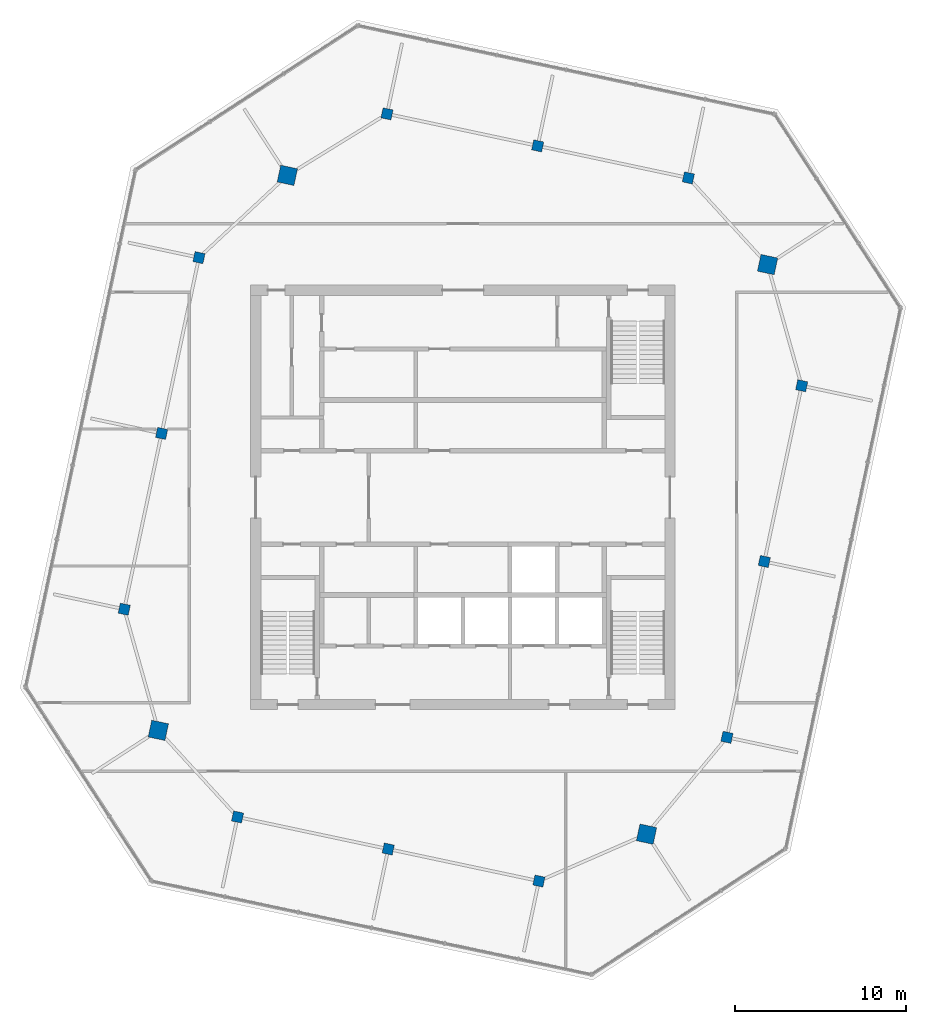
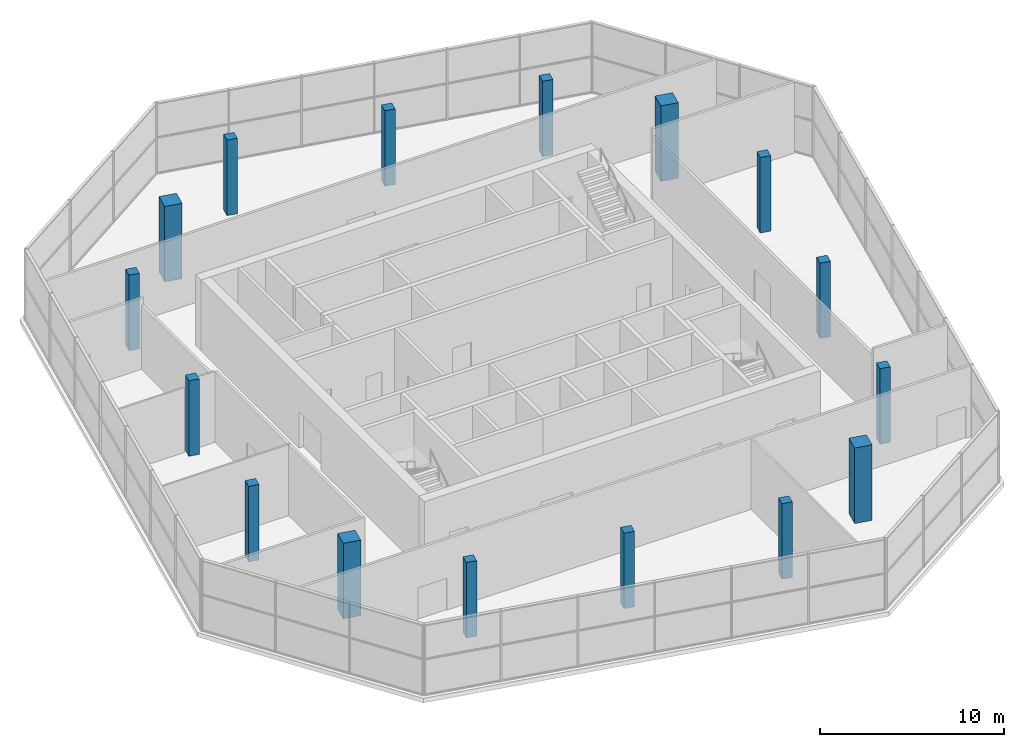
# One storey, part 1 of 11: 16 columns.
"""IFC4 building model written with IfcOpenShell, lengths in metres."""

from ifc_helpers import new_model, si_unit, direction, frame, origin, origin_2d, place, context, subcontext, project, spatial, rectangle, extrude, material, material_profile, profile_set, type_object, element, save


model = new_model("IFC4")

# Units and contexts
model_context = context("Model", 3, precision=1e-05, world=origin(), true_north=direction((0.0, 1.0)))
body_context = subcontext(model_context, "Body", "Model", "MODEL_VIEW")
ifc_project = project(units=[si_unit("LENGTHUNIT", "METRE"), si_unit("AREAUNIT", "SQUARE_METRE"), si_unit("VOLUMEUNIT", "CUBIC_METRE"), si_unit("PLANEANGLEUNIT", "RADIAN"), si_unit("MASSUNIT", "GRAM", prefix="KILO")], contexts=[model_context])

# Site, building, storey
site_placement = place(None, origin())
site = spatial("IfcSite", under=ifc_project, at=site_placement, CompositionType="ELEMENT")
building_placement = place(site_placement, origin())
building = spatial("IfcBuilding", under=site, at=building_placement, Name="Dilmun Exchange Tower", CompositionType="ELEMENT")
storey_placement = place(building_placement, frame((0.0, 0.0, 363.10009765625)))
storey = spatial("IfcBuildingStorey", under=building, at=storey_placement, Name="Crown L85", CompositionType="ELEMENT", Elevation=363.10009765625)

# Columns
ifc_material = material(Name="Concrete C50/60", Category="concrete")
ifc_material_profile_1 = material_profile(ifc_material, rectangle(XDim=1.0, YDim=1.0, at=origin_2d()), Name="1000 x 1000")
ifc_profile_set_1 = profile_set([ifc_material_profile_1], Name="Concrete C50/60")
column_type_1 = type_object("IfcColumnType", Name="RC crown mega column 1000 x 1000 C50/60", PredefinedType="COLUMN", material=ifc_profile_set_1)
for number, where, z_axis, x_axis, name in (
    (1, (-10.260986328125, 18.820068359375, 0.0), (0.0, 0.0, 1.0), (0.207911690818, 0.978147600734, 0.0), "Crown column M1"),
    (2, (-17.798095703125, -13.60693359375, 0.0), (0.0, 0.0, 1.0), (0.207911690818, 0.978147600734, 0.0), "Crown column M2"),
    (3, (10.72509765625, -19.669921875, 0.0), (0.0, 0.0, 1.0), (0.207911690818, 0.978147600734, 0.0), "Crown column M3"),
    (4, (17.798095703125, 13.60693359375, 0.0), (0.0, 0.0, 1.0), (0.207911690818, 0.978147600734, 0.0), "Crown column M4"),
):
    element("IfcColumn", number, at=place(storey_placement, frame(where, z_axis=z_axis, x_axis=x_axis)), inside=storey, type_object=column_type_1, Name=name, PredefinedType="COLUMN", context=body_context, shape_type="SweptSolid", body=[
        extrude(rectangle(XDim=1.0, YDim=1.0, at=origin_2d()), origin(), (0.0, 0.0, 1.0), 5.0),
    ])
ifc_material_profile_2 = material_profile(ifc_material, rectangle(XDim=0.60009765625, YDim=0.60009765625, at=origin_2d()), Name="600 x 600")
ifc_profile_set_2 = profile_set([ifc_material_profile_2], Name="Concrete C50/60")
column_type_2 = type_object("IfcColumnType", Name="RC crown ring column 600 x 600 C50/60", PredefinedType="COLUMN", material=ifc_profile_set_2)
for number, where, z_axis, x_axis, name in (
    (5, (-15.424072265625, 14.012939453125, 0.0), (0.0, 0.0, 1.0), (0.207911690818, 0.978147600734, 0.0), "Crown column R01"),
    (6, (-17.60693359375, 3.741943359375, 0.0), (0.0, 0.0, 1.0), (0.207911690818, 0.978147600734, 0.0), "Crown column R02"),
    (7, (-19.7900390625, -6.528076171875, 0.0), (0.0, 0.0, 1.0), (0.207911690818, 0.978147600734, 0.0), "Crown column R03"),
    (8, (-13.1689453125, -18.669921875, 0.0), (0.0, 0.0, 1.0), (0.207911690818, 0.978147600734, 0.0), "Crown column R04"),
    (9, (-4.365966796875, -20.541015625, 0.0), (0.0, 0.0, 1.0), (0.207911690818, 0.978147600734, 0.0), "Crown column R05"),
    (10, (4.43701171875, -22.412109375, 0.0), (0.0, 0.0, 1.0), (0.207911690818, 0.978147600734, 0.0), "Crown column R06"),
    (11, (15.424072265625, -14.012939453125, 0.0), (0.0, 0.0, 1.0), (0.207911690818, 0.978147600734, 0.0), "Crown column R07"),
    (12, (17.60693359375, -3.741943359375, 0.0), (0.0, 0.0, 1.0), (0.207911690818, 0.978147600734, 0.0), "Crown column R08"),
    (13, (19.7900390625, 6.528076171875, 0.0), (0.0, 0.0, 1.0), (0.207911690818, 0.978147600734, 0.0), "Crown column R09"),
    (14, (13.1689453125, 18.669921875, 0.0), (0.0, 0.0, 1.0), (0.207911690818, 0.978147600734, 0.0), "Crown column R10"),
    (15, (4.365966796875, 20.541015625, 0.0), (0.0, 0.0, 1.0), (0.207911690818, 0.978147600734, 0.0), "Crown column R11"),
    (16, (-4.43701171875, 22.412109375, 0.0), (0.0, 0.0, 1.0), (0.207911690818, 0.978147600734, 0.0), "Crown column R12"),
):
    element("IfcColumn", number, at=place(storey_placement, frame(where, z_axis=z_axis, x_axis=x_axis)), inside=storey, type_object=column_type_2, Name=name, PredefinedType="COLUMN", context=body_context, shape_type="SweptSolid", body=[
        extrude(rectangle(XDim=0.60009765625, YDim=0.60009765625, at=origin_2d()), origin(), (0.0, 0.0, 1.0), 5.0),
    ])

save(model, "model.ifc")
